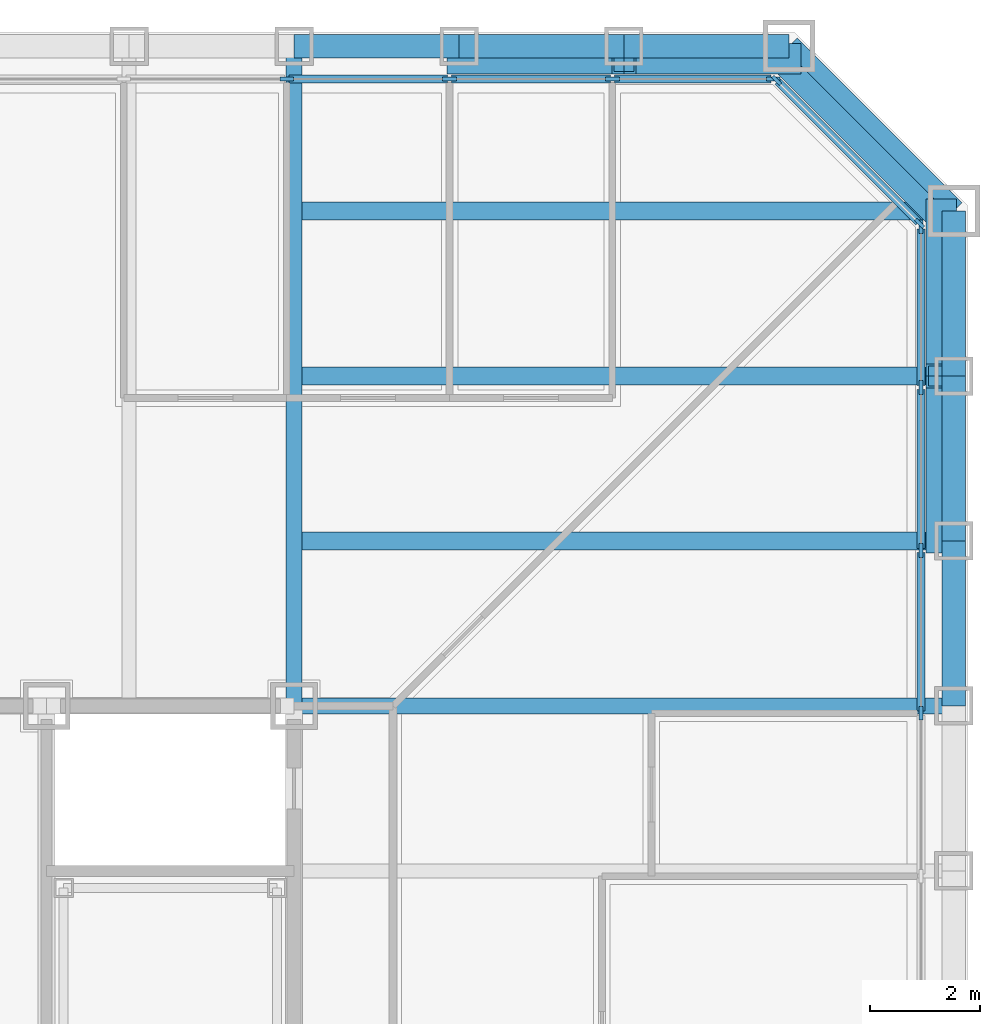
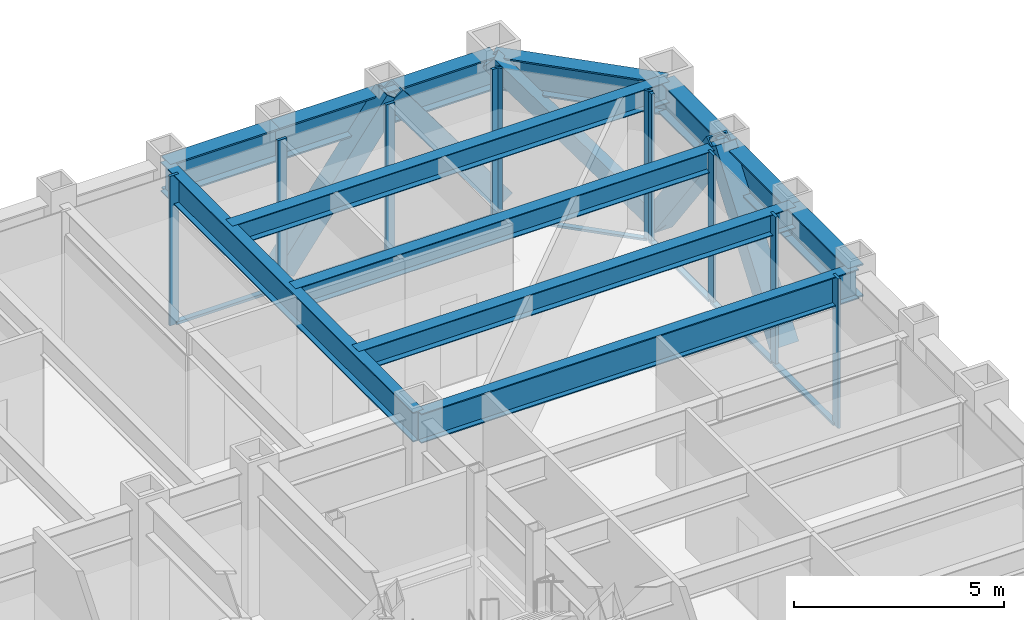
# One storey, part 6 of 17: 22 members, 12 beams, 3 elements without a shape of their own.
"""IFC4 building model written with IfcOpenShell, lengths in metres."""

from ifc_helpers import new_model, si_unit, direction, frame, origin, origin_2d, place, context, subcontext, project, spatial, rectangle, hollow_rectangle, i_section, extrude, material, layer, layer_set, material_profile, profile_set, type_object, element, aggregate, save


model = new_model("IFC4")

# Units and contexts
model_context = context("Model", 3, precision=1e-05, world=origin(), true_north=direction((0.0, 1.0)))
body_context = subcontext(model_context, "Body", "Model", "MODEL_VIEW")
ifc_project = project(units=[si_unit("LENGTHUNIT", "METRE"), si_unit("AREAUNIT", "SQUARE_METRE"), si_unit("VOLUMEUNIT", "CUBIC_METRE"), si_unit("PLANEANGLEUNIT", "RADIAN"), si_unit("MASSUNIT", "GRAM", prefix="KILO")], contexts=[model_context])

# Site, building, storey
site_placement = place(None, origin())
site = spatial("IfcSite", under=ifc_project, at=site_placement, CompositionType="ELEMENT")
building_placement = place(site_placement, origin())
building = spatial("IfcBuilding", under=site, at=building_placement, Name="Chuquiago Exchange Tower", CompositionType="ELEMENT")
storey_placement = place(building_placement, frame((0.0, 0.0, 46.800048828125)))
storey = spatial("IfcBuildingStorey", under=building, at=storey_placement, Name="L09", CompositionType="ELEMENT", Elevation=46.800048828125)

# Beams
ifc_material_1 = material(Name="Steel ASTM A992", Category="steel")
ifc_material_profile_1 = material_profile(ifc_material_1, i_section(OverallWidth=0.3251953125, OverallDepth=0.6171875, WebThickness=0.013916015625, FlangeThickness=0.021484375, at=origin_2d()), Name="W24X117")
ifc_profile_set_1 = profile_set([ifc_material_profile_1], Name="Steel ASTM A992")
beam_type_1 = type_object("IfcBeamType", Name="B5 W24X117", PredefinedType="BEAM", material=ifc_profile_set_1)
for number, where, z_axis, x_axis, name in (
    (1, (33.0, 36.0, 3.7314453125), (1.0, 0.0, 0.0), (0.0, 1.0, 0.0), "FB-L10-corner-33_36-45_36-0"),
    (2, (33.0, 39.0, 3.7314453125), (1.0, 0.0, 0.0), (0.0, 1.0, 0.0), "FB-L10-corner-33_39-45_39-0"),
    (3, (33.0, 42.0, 3.7314453125), (1.0, 0.0, 0.0), (0.0, 1.0, 0.0), "FB-L10-corner-33_42-45_42-0"),
):
    element("IfcBeam", number, at=place(storey_placement, frame(where, z_axis=z_axis, x_axis=x_axis)), inside=storey, type_object=beam_type_1, Name=name, PredefinedType="BEAM", context=body_context, shape_type="SweptSolid", body=[
        extrude(i_section(OverallWidth=0.3251953125, OverallDepth=0.6171875, WebThickness=0.013916015625, FlangeThickness=0.021484375, at=origin_2d()), origin(), (0.0, 0.0, 1.0), 12.0),
    ])

# Curtain wall, members
ifc_material_2 = material(Name="Aluminium curtain wall system", Category="aluminium")
ifc_layer_1 = layer(ifc_material_2, 0.25)
ifc_layer_set_1 = layer_set([ifc_layer_1], Name="CW1 trading floor curtain wall")
curtain_wall_type_1 = type_object("IfcCurtainWallType", Name="CW1 trading floor curtain wall", PredefinedType="NOTDEFINED", material=ifc_layer_set_1)
curtain_wall_1_placement = place(storey_placement, origin())
curtain_wall_1 = element("IfcCurtainWall", 4, at=curtain_wall_1_placement, inside=storey, type_object=curtain_wall_type_1, Name="CW1 curtain wall L09", PredefinedType="NOTDEFINED")
ifc_material_3 = material(Name="Aluminium mullion, pale anodised", Category="aluminium")
ifc_material_profile_2 = material_profile(ifc_material_3, rectangle(XDim=0.074951171875, YDim=0.25, at=origin_2d()), Name="AL 75x250")
ifc_profile_set_2 = profile_set([ifc_material_profile_2], Name="Aluminium mullion, pale anodised")
member_type_1 = type_object("IfcMemberType", Name="CW1-M mullion 75x250", PredefinedType="MULLION", material=ifc_profile_set_2)
member_1_placement = place(storey_placement, frame((44.39990234375, 32.8662109375, -0.300048828125), z_axis=(0.0, 0.0, 1.0), x_axis=(-1.0, 0.0, 0.0)))
member_1 = element("IfcMember", 5, at=member_1_placement, type_object=member_type_1, Name="CW1 mullion 11", PredefinedType="MULLION", context=body_context, shape_type="SweptSolid", body=[
    extrude(rectangle(XDim=0.074951171875, YDim=0.25, at=origin_2d()), origin(), (0.0, 0.0, 1.0), 4.340087890625),
])
member_2_placement = place(storey_placement, frame((44.39990234375, 35.827880859375, -0.300048828125), z_axis=(0.0, 0.0, 1.0), x_axis=(-1.0, 0.0, 0.0)))
member_2 = element("IfcMember", 6, at=member_2_placement, type_object=member_type_1, Name="CW1 mullion 12", PredefinedType="MULLION", context=body_context, shape_type="SweptSolid", body=[
    extrude(rectangle(XDim=0.074951171875, YDim=0.25, at=origin_2d()), origin(), (0.0, 0.0, 1.0), 4.340087890625),
])
member_3_placement = place(storey_placement, frame((44.39990234375, 38.789794921875, -0.300048828125), z_axis=(0.0, 0.0, 1.0), x_axis=(-1.0, 0.0, 0.0)))
member_3 = element("IfcMember", 7, at=member_3_placement, type_object=member_type_1, Name="CW1 mullion 13", PredefinedType="MULLION", context=body_context, shape_type="SweptSolid", body=[
    extrude(rectangle(XDim=0.074951171875, YDim=0.25, at=origin_2d()), origin(), (0.0, 0.0, 1.0), 4.340087890625),
])
member_4_placement = place(storey_placement, frame((44.39990234375, 41.714111328125, -0.300048828125), z_axis=(0.0, 0.0, 1.0), x_axis=(-1.0, 0.0, 0.0)))
member_4 = element("IfcMember", 8, at=member_4_placement, type_object=member_type_1, Name="CW1 mullion 14", PredefinedType="MULLION", context=body_context, shape_type="SweptSolid", body=[
    extrude(rectangle(XDim=0.074951171875, YDim=0.25, at=origin_2d()), origin(), (0.0, 0.0, 1.0), 4.340087890625),
])

curtain_wall_2_placement = place(storey_placement, origin())
curtain_wall_2 = element("IfcCurtainWall", 9, at=curtain_wall_2_placement, inside=storey, type_object=curtain_wall_type_1, Name="CW1 curtain wall L09", PredefinedType="NOTDEFINED")
member_5_placement = place(storey_placement, frame((41.714111328125, 44.39990234375, -0.300048828125), z_axis=(0.0, 0.0, 1.0), x_axis=(0.0, -1.0, 0.0)))
member_5 = element("IfcMember", 10, at=member_5_placement, type_object=member_type_1, Name="CW1 mullion 1", PredefinedType="MULLION", context=body_context, shape_type="SweptSolid", body=[
    extrude(rectangle(XDim=0.074951171875, YDim=0.25, at=origin_2d()), origin(), (0.0, 0.0, 1.0), 4.340087890625),
])
member_6_placement = place(storey_placement, frame((38.789794921875, 44.39990234375, -0.300048828125), z_axis=(0.0, 0.0, 1.0), x_axis=(0.0, -1.0, 0.0)))
member_6 = element("IfcMember", 11, at=member_6_placement, type_object=member_type_1, Name="CW1 mullion 2", PredefinedType="MULLION", context=body_context, shape_type="SweptSolid", body=[
    extrude(rectangle(XDim=0.074951171875, YDim=0.25, at=origin_2d()), origin(), (0.0, 0.0, 1.0), 4.340087890625),
])
member_7_placement = place(storey_placement, frame((35.827880859375, 44.39990234375, -0.300048828125), z_axis=(0.0, 0.0, 1.0), x_axis=(0.0, -1.0, 0.0)))
member_7 = element("IfcMember", 12, at=member_7_placement, type_object=member_type_1, Name="CW1 mullion 3", PredefinedType="MULLION", context=body_context, shape_type="SweptSolid", body=[
    extrude(rectangle(XDim=0.074951171875, YDim=0.25, at=origin_2d()), origin(), (0.0, 0.0, 1.0), 4.340087890625),
])
member_8_placement = place(storey_placement, frame((32.8662109375, 44.39990234375, -0.300048828125), z_axis=(0.0, 0.0, 1.0), x_axis=(0.0, -1.0, 0.0)))
member_8 = element("IfcMember", 13, at=member_8_placement, type_object=member_type_1, Name="CW1 mullion 4", PredefinedType="MULLION", context=body_context, shape_type="SweptSolid", body=[
    extrude(rectangle(XDim=0.074951171875, YDim=0.25, at=origin_2d()), origin(), (0.0, 0.0, 1.0), 4.340087890625),
])

# Member
ifc_material_4 = material(Name="Aluminium transom, pale anodised", Category="aluminium")
ifc_material_profile_3 = material_profile(ifc_material_4, rectangle(XDim=0.14990234375, YDim=0.074951171875, at=origin_2d()), Name="AL 150x75")
ifc_profile_set_3 = profile_set([ifc_material_profile_3], Name="Aluminium transom, pale anodised")
member_type_2 = type_object("IfcMemberType", Name="CW1-T transom 75x150", PredefinedType="MULLION", material=ifc_profile_set_3)
member_9_placement = place(storey_placement, frame((44.39990234375, 32.90380859375, -0.262451171875), z_axis=(0.0, 1.0, 0.0), x_axis=(-1.0, 0.0, 0.0)))
member_9 = element("IfcMember", 14, at=member_9_placement, type_object=member_type_2, Name="CW1 transom 11.1", PredefinedType="MULLION", context=body_context, shape_type="SweptSolid", body=[
    extrude(rectangle(XDim=0.14990234375, YDim=0.074951171875, at=origin_2d()), origin(), (0.0, 0.0, 1.0), 2.88671875),
])

member_10_placement = place(storey_placement, frame((44.39990234375, 35.865478515625, -0.262451171875), z_axis=(0.0, 1.0, 0.0), x_axis=(-1.0, 0.0, 0.0)))
member_10 = element("IfcMember", 15, at=member_10_placement, type_object=member_type_2, Name="CW1 transom 12.1", PredefinedType="MULLION", context=body_context, shape_type="SweptSolid", body=[
    extrude(rectangle(XDim=0.14990234375, YDim=0.074951171875, at=origin_2d()), origin(), (0.0, 0.0, 1.0), 2.88671875),
])

member_11_placement = place(storey_placement, frame((44.39990234375, 38.8271484375, -0.262451171875), z_axis=(0.0, 1.0, 0.0), x_axis=(-1.0, 0.0, 0.0)))
member_11 = element("IfcMember", 16, at=member_11_placement, type_object=member_type_2, Name="CW1 transom 13.1", PredefinedType="MULLION", context=body_context, shape_type="SweptSolid", body=[
    extrude(rectangle(XDim=0.14990234375, YDim=0.074951171875, at=origin_2d()), origin(), (0.0, 0.0, 1.0), 2.849365234375),
])

aggregate(curtain_wall_1, [member_1, member_2, member_3, member_4, member_9, member_10, member_11])

member_12_placement = place(storey_placement, frame((41.676513671875, 44.39990234375, -0.262451171875), z_axis=(-1.0, 0.0, 0.0), x_axis=(0.0, -1.0, 0.0)))
member_12 = element("IfcMember", 17, at=member_12_placement, type_object=member_type_2, Name="CW1 transom 1.1", PredefinedType="MULLION", context=body_context, shape_type="SweptSolid", body=[
    extrude(rectangle(XDim=0.14990234375, YDim=0.074951171875, at=origin_2d()), origin(), (0.0, 0.0, 1.0), 2.849365234375),
])

member_13_placement = place(storey_placement, frame((38.752197265625, 44.39990234375, -0.262451171875), z_axis=(-1.0, 0.0, 0.0), x_axis=(0.0, -1.0, 0.0)))
member_13 = element("IfcMember", 18, at=member_13_placement, type_object=member_type_2, Name="CW1 transom 2.1", PredefinedType="MULLION", context=body_context, shape_type="SweptSolid", body=[
    extrude(rectangle(XDim=0.14990234375, YDim=0.074951171875, at=origin_2d()), origin(), (0.0, 0.0, 1.0), 2.88671875),
])

member_14_placement = place(storey_placement, frame((35.79052734375, 44.39990234375, -0.262451171875), z_axis=(-1.0, 0.0, 0.0), x_axis=(0.0, -1.0, 0.0)))
member_14 = element("IfcMember", 19, at=member_14_placement, type_object=member_type_2, Name="CW1 transom 3.1", PredefinedType="MULLION", context=body_context, shape_type="SweptSolid", body=[
    extrude(rectangle(XDim=0.14990234375, YDim=0.074951171875, at=origin_2d()), origin(), (0.0, 0.0, 1.0), 2.88671875),
])

aggregate(curtain_wall_2, [member_5, member_6, member_7, member_8, member_12, member_13, member_14])

# Curtain wall, members
ifc_material_5 = material(Name="Aluminium curtain wall system", Category="aluminium")
ifc_layer_2 = layer(ifc_material_5, 0.199951171875)
ifc_layer_set_2 = layer_set([ifc_layer_2], Name="CW3 facet curtain wall")
curtain_wall_type_2 = type_object("IfcCurtainWallType", Name="CW3 facet curtain wall", PredefinedType="NOTDEFINED", material=ifc_layer_set_2)
curtain_wall_3_placement = place(storey_placement, origin())
curtain_wall_3 = element("IfcCurtainWall", 20, at=curtain_wall_3_placement, inside=storey, type_object=curtain_wall_type_2, Name="CW3 curtain wall L09", PredefinedType="NOTDEFINED")
ifc_material_6 = material(Name="Aluminium mullion, pale anodised", Category="aluminium")
ifc_material_profile_4 = material_profile(ifc_material_6, rectangle(XDim=0.06494140625, YDim=0.199951171875, at=origin_2d()), Name="AL 65x200")
ifc_profile_set_4 = profile_set([ifc_material_profile_4], Name="Aluminium mullion, pale anodised")
member_type_3 = type_object("IfcMemberType", Name="CW3-M mullion 65x200", PredefinedType="MULLION", material=ifc_profile_set_4)
member_15_placement = place(storey_placement, frame((44.376953125, 41.7744140625, -0.300048828125), z_axis=(0.0, 0.0, 1.0), x_axis=(-0.707106781187, -0.707106781187, 0.0)))
member_15 = element("IfcMember", 21, at=member_15_placement, type_object=member_type_3, Name="CW3 mullion 1", PredefinedType="MULLION", context=body_context, shape_type="SweptSolid", body=[
    extrude(rectangle(XDim=0.06494140625, YDim=0.199951171875, at=origin_2d()), origin(), (0.0, 0.0, 1.0), 4.340087890625),
])
member_16_placement = place(storey_placement, frame((41.7744140625, 44.376953125, -0.300048828125), z_axis=(0.0, 0.0, 1.0), x_axis=(-0.707106781187, -0.707106781187, 0.0)))
member_16 = element("IfcMember", 22, at=member_16_placement, type_object=member_type_3, Name="CW3 mullion 2", PredefinedType="MULLION", context=body_context, shape_type="SweptSolid", body=[
    extrude(rectangle(XDim=0.06494140625, YDim=0.199951171875, at=origin_2d()), origin(), (0.0, 0.0, 1.0), 4.340087890625),
])
ifc_material_7 = material(Name="Aluminium transom, pale anodised", Category="aluminium")
ifc_material_profile_5 = material_profile(ifc_material_7, rectangle(XDim=0.139892578125, YDim=0.06494140625, at=origin_2d()), Name="AL 140x65")
ifc_profile_set_5 = profile_set([ifc_material_profile_5], Name="Aluminium transom, pale anodised")
member_type_4 = type_object("IfcMemberType", Name="CW3-T transom 65x140", PredefinedType="MULLION", material=ifc_profile_set_5)
member_17_placement = place(storey_placement, frame((44.35400390625, 41.79736328125, -0.267578125), z_axis=(-0.707106781187, 0.707106781187, 0.0), x_axis=(-0.707106781187, -0.707106781187, 0.0)))
member_17 = element("IfcMember", 23, at=member_17_placement, type_object=member_type_4, Name="CW3 transom 1.1", PredefinedType="MULLION", context=body_context, shape_type="SweptSolid", body=[
    extrude(rectangle(XDim=0.139892578125, YDim=0.06494140625, at=origin_2d()), origin(), (0.0, 0.0, 1.0), 3.61572265625),
])
aggregate(curtain_wall_3, [member_15, member_16, member_17])

# Beams
ifc_material_8 = material(Name="Steel ASTM A992", Category="steel")
ifc_material_profile_6 = material_profile(ifc_material_8, i_section(OverallWidth=0.2919921875, OverallDepth=0.8583984375, WebThickness=0.01708984375, FlangeThickness=0.031005859375, at=origin_2d()), Name="W33X169")
ifc_profile_set_6 = profile_set([ifc_material_profile_6], Name="Steel ASTM A992")
beam_type_2 = type_object("IfcBeamType", Name="G2 W33X169", PredefinedType="BEAM", material=ifc_profile_set_6)
for number, where, z_axis, x_axis, name in (
    (24, (33.0, 33.0, 3.610595703125), (0.0, 1.0, 0.0), (-1.0, 0.0, 0.0), "FB-L10-girder-33_33-33_45-0"),
    (25, (33.0, 33.0, 3.610595703125), (1.0, 0.0, 0.0), (0.0, 1.0, 0.0), "FB-L10-girder-33_33-45_33-0"),
):
    element("IfcBeam", number, at=place(storey_placement, frame(where, z_axis=z_axis, x_axis=x_axis)), inside=storey, type_object=beam_type_2, Name=name, PredefinedType="BEAM", context=body_context, shape_type="SweptSolid", body=[
        extrude(i_section(OverallWidth=0.2919921875, OverallDepth=0.8583984375, WebThickness=0.01708984375, FlangeThickness=0.031005859375, at=origin_2d()), origin(), (0.0, 0.0, 1.0), 12.0),
    ])

# Members
ifc_material_9 = material(Name="Steel ASTM A500 Grade C", Category="steel")
ifc_material_profile_7 = material_profile(ifc_material_9, hollow_rectangle(XDim=0.406494140625, YDim=0.406494140625, WallThickness=0.0146484375, at=origin_2d()), Name="HSS16X16X5/8")
ifc_profile_set_7 = profile_set([ifc_material_profile_7], Name="Steel ASTM A500 Grade C")
member_type_5 = type_object("IfcMemberType", Name="LB4 HSS16X16X5/8", PredefinedType="BRACE", material=ifc_profile_set_7)
member_18_placement = place(storey_placement, frame((44.78662109375, 41.78662109375, 0.0), z_axis=(-0.512077265487, 0.512077265487, 0.689604051861), x_axis=(-0.707106781187, -0.707106781187, 0.0)))
element("IfcMember", 26, at=member_18_placement, inside=storey, type_object=member_type_5, Name="LB-L09-45_42-42_45", PredefinedType="BRACE", context=body_context, shape_type="SweptSolid", body=[
    extrude(hollow_rectangle(XDim=0.406494140625, YDim=0.406494140625, WallThickness=0.0146484375, at=origin_2d()), origin(), (0.0, 0.0, 1.0), 5.8583984375),
])
ifc_material_10 = material(Name="Steel ASTM A572 Grade 50", Category="steel")
ifc_material_profile_8 = material_profile(ifc_material_10, hollow_rectangle(XDim=0.550048828125, YDim=0.550048828125, WallThickness=0.044921875, at=origin_2d()), Name="BOX550X550X45")
ifc_profile_set_8 = profile_set([ifc_material_profile_8], Name="Steel ASTM A572 Grade 50")
member_type_6 = type_object("IfcMemberType", Name="MB1 BOX550X550X45", PredefinedType="BRACE", material=ifc_profile_set_8)
for number, where, z_axis, x_axis, name in (
    (27, (44.77001953125, 36.0, 0.0), (0.0, 0.596173923302, 0.802855312728), (-1.0, 0.0, 0.0), "Mega diagonal L09 E face"),
    (28, (44.77001953125, 42.0, 0.0), (0.0, -0.596173923302, 0.802855312728), (1.0, 0.0, 0.0), "Mega diagonal L09 E face"),
    (29, (42.0, 44.77001953125, 0.0), (-0.596173923302, 0.0, 0.802855312728), (0.0, -1.0, 0.0), "Mega diagonal L09 N face"),
    (30, (36.0, 44.77001953125, 0.0), (0.596173923302, 0.0, 0.802855312728), (0.0, 1.0, 0.0), "Mega diagonal L09 N face"),
):
    element("IfcMember", number, at=place(storey_placement, frame(where, z_axis=z_axis, x_axis=x_axis)), inside=storey, type_object=member_type_6, Name=name, PredefinedType="BRACE", context=body_context, shape_type="SweptSolid", body=[
        extrude(hollow_rectangle(XDim=0.550048828125, YDim=0.550048828125, WallThickness=0.044921875, at=origin_2d()), origin(), (0.0, 0.0, 1.0), 5.031982421875),
    ])

# Beams
ifc_material_11 = material(Name="Steel ASTM A992", Category="steel")
ifc_material_profile_9 = material_profile(ifc_material_11, i_section(OverallWidth=0.424072265625, OverallDepth=0.947509765625, WebThickness=0.02392578125, FlangeThickness=0.042724609375, at=origin_2d()), Name="W36X302")
ifc_profile_set_9 = profile_set([ifc_material_profile_9], Name="Steel ASTM A992")
beam_type_3 = type_object("IfcBeamType", Name="SP1 W36X302", PredefinedType="SPANDREL", material=ifc_profile_set_9)
for number, where, z_axis, x_axis, name in (
    (31, (45.0, 33.0, 3.566162109375), (0.0, 1.0, 0.0), (-1.0, 0.0, 0.0), "SPB-L10-45_33-45_36"),
    (32, (45.0, 36.0, 3.566162109375), (0.0, 1.0, 0.0), (-1.0, 0.0, 0.0), "SPB-L10-45_36-45_39"),
    (33, (45.0, 39.0, 3.566162109375), (0.0, 1.0, 0.0), (-1.0, 0.0, 0.0), "SPB-L10-45_39-45_42"),
):
    element("IfcBeam", number, at=place(storey_placement, frame(where, z_axis=z_axis, x_axis=x_axis)), inside=storey, type_object=beam_type_3, Name=name, PredefinedType="SPANDREL", context=body_context, shape_type="SweptSolid", body=[
        extrude(i_section(OverallWidth=0.424072265625, OverallDepth=0.947509765625, WebThickness=0.02392578125, FlangeThickness=0.042724609375, at=origin_2d()), origin(), (0.0, 0.0, 1.0), 3.0),
    ])
beam_placement = place(storey_placement, frame((45.0, 42.0, 3.566162109375), z_axis=(-0.707106781187, 0.707106781187, 0.0), x_axis=(-0.707106781187, -0.707106781187, 0.0)))
element("IfcBeam", 34, at=beam_placement, inside=storey, type_object=beam_type_3, Name="SPB-L10-45_42-42_45", PredefinedType="SPANDREL", context=body_context, shape_type="SweptSolid", body=[
    extrude(i_section(OverallWidth=0.424072265625, OverallDepth=0.947509765625, WebThickness=0.02392578125, FlangeThickness=0.042724609375, at=origin_2d()), origin(), (0.0, 0.0, 1.0), 4.24267578125),
])
for number, where, z_axis, x_axis, name in (
    (35, (42.0, 45.0, 3.566162109375), (-1.0, 0.0, 0.0), (0.0, -1.0, 0.0), "SPB-L10-42_45-39_45"),
    (36, (39.0, 45.0, 3.566162109375), (-1.0, 0.0, 0.0), (0.0, -1.0, 0.0), "SPB-L10-39_45-36_45"),
    (37, (36.0, 45.0, 3.566162109375), (-1.0, 0.0, 0.0), (0.0, -1.0, 0.0), "SPB-L10-36_45-33_45"),
):
    element("IfcBeam", number, at=place(storey_placement, frame(where, z_axis=z_axis, x_axis=x_axis)), inside=storey, type_object=beam_type_3, Name=name, PredefinedType="SPANDREL", context=body_context, shape_type="SweptSolid", body=[
        extrude(i_section(OverallWidth=0.424072265625, OverallDepth=0.947509765625, WebThickness=0.02392578125, FlangeThickness=0.042724609375, at=origin_2d()), origin(), (0.0, 0.0, 1.0), 3.0),
    ])

save(model, "model.ifc")
